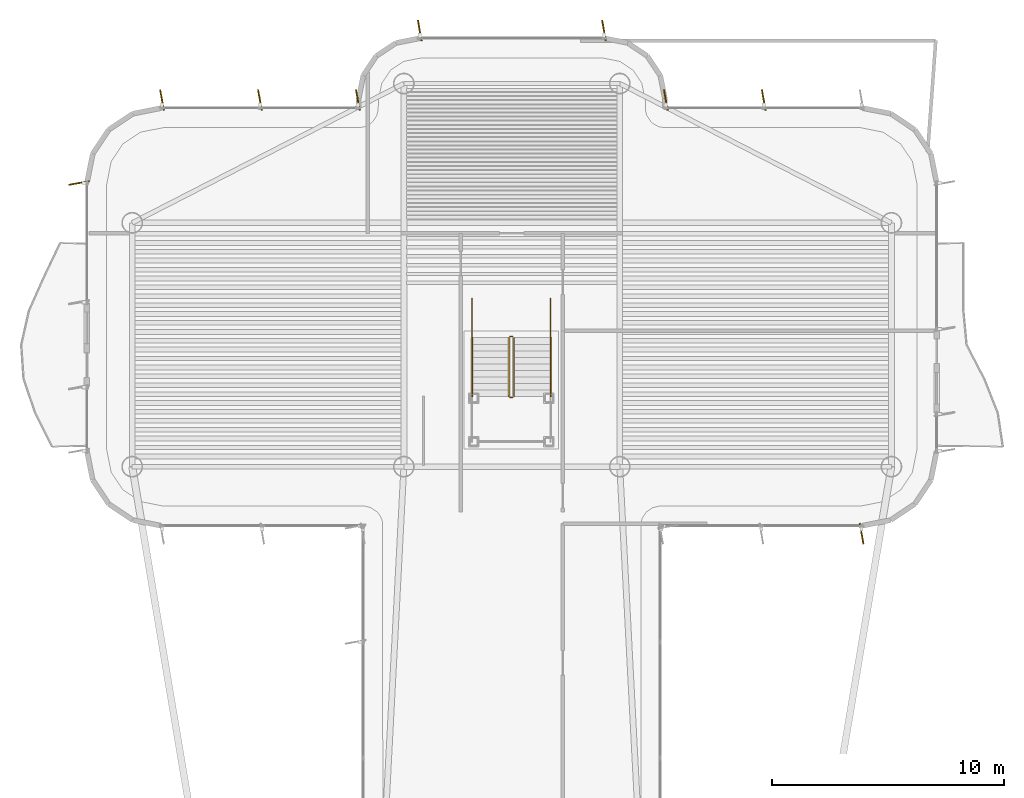
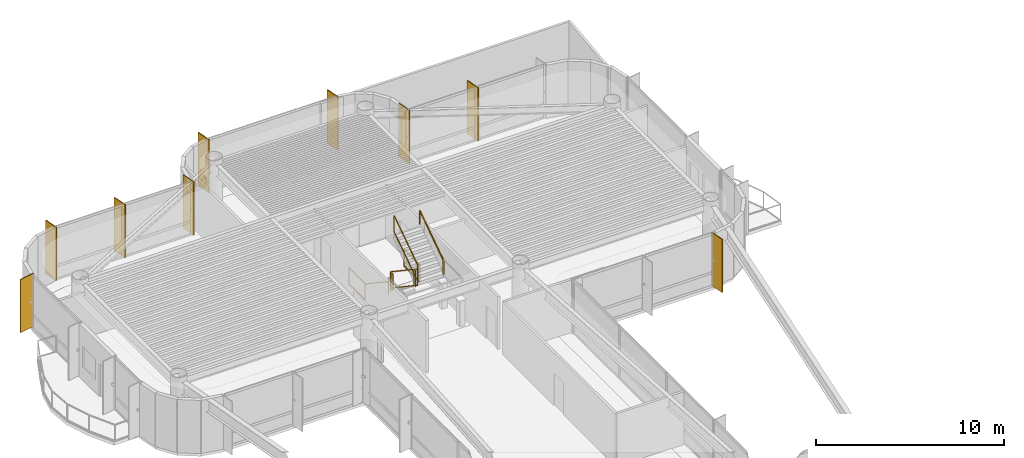
# One storey, part 16 of 17: 9 shading devices, 8 railings.
"""IFC4 building model written with IfcOpenShell, lengths in metres."""

from ifc_helpers import new_model, si_unit, direction, frame, origin, origin_2d, place, context, subcontext, project, spatial, rectangle, extrude, source, transform, mapped, material, layer, layer_set, material_profile, profile_set, type_object, element, save


model = new_model("IFC4")

# Units and contexts
model_context = context("Model", 3, precision=1e-05, world=origin(), true_north=direction((0.0, 1.0)))
body_context = subcontext(model_context, "Body", "Model", "MODEL_VIEW")
ifc_project = project(units=[si_unit("LENGTHUNIT", "METRE"), si_unit("AREAUNIT", "SQUARE_METRE"), si_unit("VOLUMEUNIT", "CUBIC_METRE"), si_unit("PLANEANGLEUNIT", "RADIAN"), si_unit("MASSUNIT", "GRAM", prefix="KILO")], contexts=[model_context])

# Site, building, storey
site_placement = place(None, origin())
site = spatial("IfcSite", under=ifc_project, at=site_placement, CompositionType="ELEMENT")
building_placement = place(site_placement, origin())
building = spatial("IfcBuilding", under=site, at=building_placement, Name="Brelvock Crest Care Tower", CompositionType="ELEMENT")
storey_placement = place(building_placement, frame((0.0, 0.0, 287.280029296875)))
storey = spatial("IfcBuildingStorey", under=building, at=storey_placement, Name="L73", CompositionType="ELEMENT", Elevation=287.280029296875)

# Railings
ifc_material_1 = material(Name="Steel Grade 350", Category="steel")
ifc_layer_1 = layer(ifc_material_1, 0.050048828125, Name="RL-STG1")
ifc_layer_set_1 = layer_set([ifc_layer_1], Name="Steel Grade 350")
railing_type_1 = type_object("IfcRailingType", Name="RL-STG1", PredefinedType="GUARDRAIL", material=ifc_layer_set_1)
railing_1_placement = place(storey_placement, frame((35.8701171875, 49.5, 0.18896484375)))
element("IfcRailing", 1, at=railing_1_placement, inside=storey, type_object=railing_type_1, Name="L73 ST-6 stair guard 1", PredefinedType="GUARDRAIL", context=body_context, shape_type="SweptSolid", body=[
    extrude(rectangle(XDim=0.048095703125, YDim=0.048095703125, at=origin_2d()), frame((0.0, -0.001708984375, 1.116943359375), z_axis=(0.0, -0.828861706735, 0.559453546873), x_axis=(1.0, 0.0, 0.0)), (0.0, 0.0, 1.0), 3.036376953125),
    extrude(rectangle(XDim=0.048095703125, YDim=0.048095703125, at=origin_2d()), frame((0.0, -0.001708984375, 0.05615234375), z_axis=(0.0, -0.828861706735, 0.559453546873), x_axis=(1.0, 0.0, 0.0)), (0.0, 0.0, 1.0), 3.036376953125),
    extrude(rectangle(XDim=0.0419921875, YDim=0.0419921875, at=origin_2d()), origin(), (0.0, 0.0, 1.0), 1.08984375),
    extrude(rectangle(XDim=0.0419921875, YDim=0.0419921875, at=origin_2d()), frame((0.0, -2.52001953125, 1.700927734375)), (0.0, 0.0, 1.0), 1.08984375),
])
railing_2_placement = place(storey_placement, frame((35.919921875, 46.929931640625, 1.889892578125)))
element("IfcRailing", 2, at=railing_2_placement, inside=storey, type_object=railing_type_1, Name="L73 ST-6 stair guard 2", PredefinedType="GUARDRAIL", context=body_context, shape_type="SweptSolid", body=[
    extrude(rectangle(XDim=0.048095703125, YDim=0.048095703125, at=origin_2d()), frame((0.001953125, 0.0, 1.11572265625), z_axis=(1.0, 0.0, 0.0), x_axis=(0.0, 1.0, 0.0)), (0.0, 0.0, 1.0), 0.1162109375),
    extrude(rectangle(XDim=0.048095703125, YDim=0.048095703125, at=origin_2d()), frame((0.001953125, 0.0, 0.054931640625), z_axis=(1.0, 0.0, 0.0), x_axis=(0.0, 1.0, 0.0)), (0.0, 0.0, 1.0), 0.1162109375),
    extrude(rectangle(XDim=0.0419921875, YDim=0.0419921875, at=origin_2d()), origin(), (0.0, 0.0, 1.0), 1.08984375),
    extrude(rectangle(XDim=0.0419921875, YDim=0.0419921875, at=origin_2d()), frame((0.1201171875, 0.0, 0.0)), (0.0, 0.0, 1.0), 1.08984375),
])
railing_3_placement = place(storey_placement, frame((36.090087890625, 46.97998046875, 2.078857421875)))
element("IfcRailing", 3, at=railing_3_placement, inside=storey, type_object=railing_type_1, Name="L73 ST-6 stair guard 6", PredefinedType="GUARDRAIL", context=body_context, shape_type="SweptSolid", body=[
    extrude(rectangle(XDim=0.048095703125, YDim=0.048095703125, at=origin_2d()), frame((0.0, 0.001708984375, 1.116943359375), z_axis=(0.0, 0.82882447046, 0.559508710537), x_axis=(-1.0, 0.0, 0.0)), (0.0, 0.0, 1.0), 3.036376953125),
    extrude(rectangle(XDim=0.048095703125, YDim=0.048095703125, at=origin_2d()), frame((0.0, 0.001708984375, 0.05615234375), z_axis=(0.0, 0.82882447046, 0.559508710537), x_axis=(-1.0, 0.0, 0.0)), (0.0, 0.0, 1.0), 3.036376953125),
    extrude(rectangle(XDim=0.0419921875, YDim=0.0419921875, at=origin_2d()), origin(), (0.0, 0.0, 1.0), 1.08984375),
    extrude(rectangle(XDim=0.0419921875, YDim=0.0419921875, at=origin_2d()), frame((0.0, 2.52001953125, 1.701171875)), (0.0, 0.0, 1.0), 1.08984375),
])
railing_4_placement = place(storey_placement, frame((35.919921875, 49.550048828125, 0.0)))
element("IfcRailing", 4, at=railing_4_placement, inside=storey, type_object=railing_type_1, Name="L73 ST-6 stair guard 7", PredefinedType="GUARDRAIL", context=body_context, shape_type="SweptSolid", body=[
    extrude(rectangle(XDim=0.048095703125, YDim=0.048095703125, at=origin_2d()), frame((0.001953125, 0.0, 1.11572265625), z_axis=(1.0, 0.0, 0.0), x_axis=(0.0, 1.0, 0.0)), (0.0, 0.0, 1.0), 0.1162109375),
    extrude(rectangle(XDim=0.048095703125, YDim=0.048095703125, at=origin_2d()), frame((0.001953125, 0.0, 0.054931640625), z_axis=(1.0, 0.0, 0.0), x_axis=(0.0, 1.0, 0.0)), (0.0, 0.0, 1.0), 0.1162109375),
    extrude(rectangle(XDim=0.0419921875, YDim=0.0419921875, at=origin_2d()), origin(), (0.0, 0.0, 1.0), 1.08984375),
    extrude(rectangle(XDim=0.0419921875, YDim=0.0419921875, at=origin_2d()), frame((0.1201171875, 0.0, 0.0)), (0.0, 0.0, 1.0), 1.08984375),
])
for number, where, name in (
    (5, (34.2900390625, 51.199951171875, 0.0), "L73 ST-6 stair guard 8"),
    (6, (37.669921875, 51.199951171875, 0.0), "L73 ST-6 stair guard 9"),
):
    element("IfcRailing", number, at=place(storey_placement, frame(where)), inside=storey, type_object=railing_type_1, Name=name, PredefinedType="GUARDRAIL", context=body_context, shape_type="SweptSolid", body=[
        extrude(rectangle(XDim=0.048095703125, YDim=0.048095703125, at=origin_2d()), frame((0.0, -0.001953125, 1.11572265625), z_axis=(0.0, -1.0, 0.0), x_axis=(1.0, 0.0, 0.0)), (0.0, 0.0, 1.0), 1.696044921875),
        extrude(rectangle(XDim=0.048095703125, YDim=0.048095703125, at=origin_2d()), frame((0.0, -0.001953125, 0.054931640625), z_axis=(0.0, -1.0, 0.0), x_axis=(1.0, 0.0, 0.0)), (0.0, 0.0, 1.0), 1.696044921875),
        extrude(rectangle(XDim=0.0419921875, YDim=0.0419921875, at=origin_2d()), origin(), (0.0, 0.0, 1.0), 1.08984375),
        extrude(rectangle(XDim=0.0419921875, YDim=0.0419921875, at=origin_2d()), frame((0.0, -1.699951171875, 0.0)), (0.0, 0.0, 1.0), 1.08984375),
    ])
ifc_layer_2 = layer(ifc_material_1, 0.048095703125, Name="RL-STH1")
ifc_layer_set_2 = layer_set([ifc_layer_2], Name="Steel Grade 350")
railing_type_2 = type_object("IfcRailingType", Name="RL-STH1", PredefinedType="HANDRAIL", material=ifc_layer_set_2)
railing_5_placement = place(storey_placement, frame((34.2900390625, 49.5, 0.18896484375)))
element("IfcRailing", 7, at=railing_5_placement, inside=storey, type_object=railing_type_2, Name="L73 ST-6 stair handrail 1", PredefinedType="HANDRAIL", context=body_context, shape_type="SweptSolid", body=[
    extrude(rectangle(XDim=0.048095703125, YDim=0.048095703125, at=origin_2d()), frame((0.0, -0.001708984375, 0.876953125), z_axis=(0.0, -0.828861706735, 0.559453546873), x_axis=(1.0, 0.0, 0.0)), (0.0, 0.0, 1.0), 3.036376953125),
    extrude(rectangle(XDim=0.0419921875, YDim=0.0419921875, at=origin_2d()), origin(), (0.0, 0.0, 1.0), 0.849853515625),
    extrude(rectangle(XDim=0.0419921875, YDim=0.0419921875, at=origin_2d()), frame((0.0, -2.52001953125, 1.700927734375)), (0.0, 0.0, 1.0), 0.849853515625),
])
railing_6_placement = place(storey_placement, frame((37.669921875, 46.97998046875, 2.078857421875)))
element("IfcRailing", 8, at=railing_6_placement, inside=storey, type_object=railing_type_2, Name="L73 ST-6 stair handrail 2", PredefinedType="HANDRAIL", context=body_context, shape_type="SweptSolid", body=[
    extrude(rectangle(XDim=0.048095703125, YDim=0.048095703125, at=origin_2d()), frame((0.0, 0.001708984375, 0.876953125), z_axis=(0.0, 0.82882447046, 0.559508710537), x_axis=(-1.0, 0.0, 0.0)), (0.0, 0.0, 1.0), 3.036376953125),
    extrude(rectangle(XDim=0.0419921875, YDim=0.0419921875, at=origin_2d()), origin(), (0.0, 0.0, 1.0), 0.849853515625),
    extrude(rectangle(XDim=0.0419921875, YDim=0.0419921875, at=origin_2d()), frame((0.0, 2.52001953125, 1.701171875)), (0.0, 0.0, 1.0), 0.849853515625),
])

# Shading devices
ifc_material_2 = material(Name="Aluminium 6063-T6", Category="aluminium")
ifc_material_profile = material_profile(ifc_material_2, rectangle(XDim=0.054931640625, YDim=0.89990234375, at=origin_2d()), Name="FIN55x900")
ifc_profile_set = profile_set([ifc_material_profile], Name="Aluminium 6063-T6")
shading_device_type = type_object("IfcShadingDeviceType", Name="SHD-FIN1", PredefinedType="USERDEFINED", material=ifc_profile_set)
shared_shape = source(origin(), body_context, "Body", "SweptSolid", [
    extrude(rectangle(XDim=0.054931640625, YDim=0.89990234375, at=origin_2d()), origin(), (0.0, 0.0, 1.0), 3.4599609375),
])
for number, where, z_axis, x_axis, name in (
    (9, (17.360107421875, 56.16748046875, 0.0), (0.0, 0.0, 1.0), (-0.173648177667, 0.984807753012, 0.0), "L73 Vertical Sunshade Fin E17B-02"),
    (10, (20.9326171875, 59.739990234375, 0.0), (0.0, 0.0, 1.0), (0.984807753012, 0.173648177667, 0.0), "L73 Vertical Sunshade Fin E22-01"),
    (11, (25.14990234375, 59.739990234375, 0.0), (0.0, 0.0, 1.0), (0.984807753012, 0.173648177667, 0.0), "L73 Vertical Sunshade Fin E22-02"),
    (12, (29.367431640625, 59.739990234375, 0.0), (0.0, 0.0, 1.0), (0.984807753012, 0.173648177667, 0.0), "L73 Vertical Sunshade Fin E22-03"),
    (13, (32.032470703125, 62.739990234375, 0.0), (0.0, 0.0, 1.0), (0.984807753012, 0.173648177667, 0.0), "L73 Vertical Sunshade Fin E28-01"),
    (14, (39.967529296875, 62.739990234375, 0.0), (0.0, 0.0, 1.0), (0.984807753012, 0.173648177667, 0.0), "L73 Vertical Sunshade Fin E28-02"),
    (15, (42.632568359375, 59.739990234375, 0.0), (0.0, 0.0, 1.0), (0.984807753012, 0.173648177667, 0.0), "L73 Vertical Sunshade Fin E34-01"),
    (16, (46.85009765625, 59.739990234375, 0.0), (0.0, 0.0, 1.0), (0.984807753012, 0.173648177667, 0.0), "L73 Vertical Sunshade Fin E34-02"),
    (17, (51.0673828125, 41.06005859375, 0.0), (0.0, 0.0, 1.0), (-0.984807753012, -0.173648177667, 0.0), "L73 Vertical Sunshade Fin E44-01"),
):
    element("IfcShadingDevice", number, at=place(storey_placement, frame(where, z_axis=z_axis, x_axis=x_axis)), inside=storey, type_object=shading_device_type, Name=name, ObjectType="FIN", PredefinedType="USERDEFINED", context=body_context, shape_type="MappedRepresentation", body=[
        mapped(shared_shape, transform((0.0, 0.0, 0.0), x_axis=(1.0, 0.0, 0.0), y_axis=(0.0, 1.0, 0.0), z_axis=(0.0, 0.0, 1.0), scale=1.0)),
    ])

save(model, "model.ifc")
